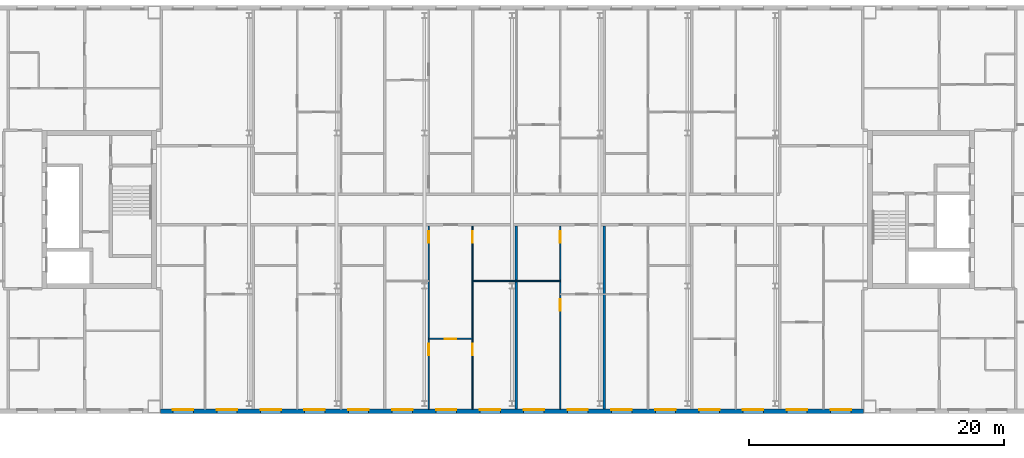
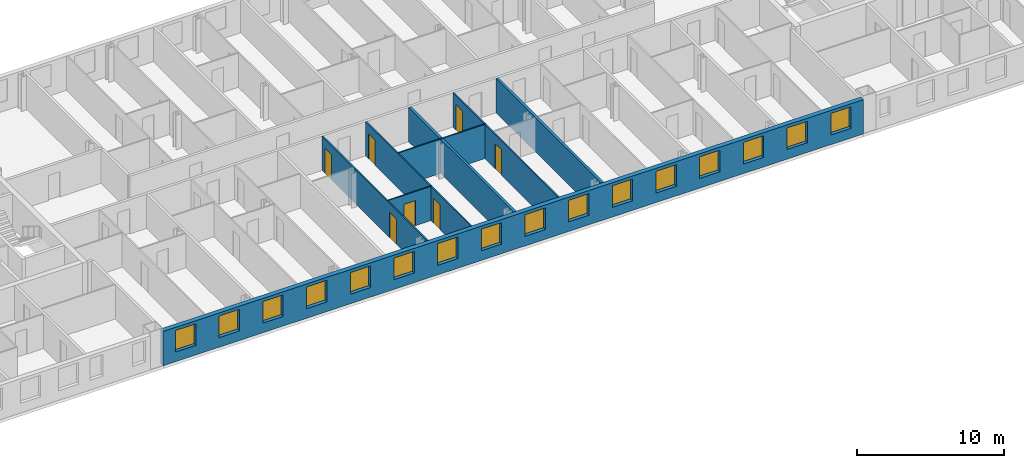
# One storey, part 10 of 19: 16 windows, 8 walls, 7 doors, 23 openings.
"""IFC4 building model written with IfcOpenShell, lengths in metres."""

from ifc_helpers import new_model, si_unit, direction, frame, frame_2d, origin, place, context, subcontext, project, spatial, rectangle, extrude, material, layer, layer_set, type_object, element, fill, save


model = new_model("IFC4")

# Units and contexts
model_context = context("Model", 3, precision=1e-05, world=origin(), true_north=direction((0.0, 1.0)))
body_context = subcontext(model_context, "Body", "Model", "MODEL_VIEW")
ifc_project = project(units=[si_unit("LENGTHUNIT", "METRE"), si_unit("AREAUNIT", "SQUARE_METRE"), si_unit("VOLUMEUNIT", "CUBIC_METRE"), si_unit("PLANEANGLEUNIT", "RADIAN"), si_unit("MASSUNIT", "GRAM", prefix="KILO")], contexts=[model_context])

# Site, building, storey
site_placement = place(None, origin())
site = spatial("IfcSite", under=ifc_project, at=site_placement, CompositionType="ELEMENT")
building_placement = place(site_placement, origin())
building = spatial("IfcBuilding", under=site, at=building_placement, Name="Tuart Gate Housing", CompositionType="ELEMENT")
storey_placement = place(building_placement, frame((0.0, 0.0, 205.89990234375)))
storey = spatial("IfcBuildingStorey", under=building, at=storey_placement, Name="L58", CompositionType="ELEMENT", Elevation=205.89990234375)

# Wall, openings, windows
ifc_material_1 = material(Name="Brick", Category="masonry")
ifc_layer_1 = layer(ifc_material_1, 0.360107421875)
ifc_layer_set_1 = layer_set([ifc_layer_1], Name="Brick pier and spandrel wall 360")
wall_type_1 = type_object("IfcWallType", Name="Brick pier and spandrel wall 360", PredefinedType="STANDARD", material=ifc_layer_set_1)
wall_1_placement = place(storey_placement, frame((75.949951171875, 54.179931640625, 0.0), z_axis=(0.0, 0.0, 1.0), x_axis=(1.0, 0.0, 0.0)))
wall_1 = element("IfcWall", 1, at=wall_1_placement, inside=storey, type_object=wall_type_1, Name="External wall BLK-S L58", PredefinedType="STANDARD", context=body_context, shape_type="SweptSolid", body=[
    extrude(rectangle(XDim=55.10009765625, YDim=0.360107421875, at=frame_2d((27.550048828125, 0.0))), origin(), (0.0, 0.0, 1.0), 2.85009765625),
])
opening_1_placement = place(wall_1_placement, frame((0.96875, 0.0, 0.800048828125)))
opening_1 = element("IfcOpeningElement", 2, at=opening_1_placement, cuts=wall_1, Name="Opening W1", PredefinedType="OPENING", context=body_context, shape_type="SweptSolid", body=[
    extrude(rectangle(XDim=1.60009765625, YDim=1.800048828125, at=frame_2d((0.800048828125, 0.89990234375))), frame((0.0, 0.18994140625, 0.0), z_axis=(0.0, -1.0, 0.0), x_axis=(1.0, 0.0, 0.0)), (0.0, 0.0, 1.0), 0.380126953125),
])
opening_2_placement = place(wall_1_placement, frame((4.40625, 0.0, 0.800048828125)))
opening_2 = element("IfcOpeningElement", 3, at=opening_2_placement, cuts=wall_1, Name="Opening W1", PredefinedType="OPENING", context=body_context, shape_type="SweptSolid", body=[
    extrude(rectangle(XDim=1.60009765625, YDim=1.800048828125, at=frame_2d((0.800048828125, 0.89990234375))), frame((0.0, 0.18994140625, 0.0), z_axis=(0.0, -1.0, 0.0), x_axis=(1.0, 0.0, 0.0)), (0.0, 0.0, 1.0), 0.380126953125),
])
opening_3_placement = place(wall_1_placement, frame((7.84375, 0.0, 0.800048828125)))
opening_3 = element("IfcOpeningElement", 4, at=opening_3_placement, cuts=wall_1, Name="Opening W1", PredefinedType="OPENING", context=body_context, shape_type="SweptSolid", body=[
    extrude(rectangle(XDim=1.60009765625, YDim=1.800048828125, at=frame_2d((0.800048828125, 0.89990234375))), frame((0.0, 0.18994140625, 0.0), z_axis=(0.0, -1.0, 0.0), x_axis=(1.0, 0.0, 0.0)), (0.0, 0.0, 1.0), 0.380126953125),
])
opening_4_placement = place(wall_1_placement, frame((11.28125, 0.0, 0.800048828125)))
opening_4 = element("IfcOpeningElement", 5, at=opening_4_placement, cuts=wall_1, Name="Opening W1", PredefinedType="OPENING", context=body_context, shape_type="SweptSolid", body=[
    extrude(rectangle(XDim=1.60009765625, YDim=1.800048828125, at=frame_2d((0.800048828125, 0.89990234375))), frame((0.0, 0.18994140625, 0.0), z_axis=(0.0, -1.0, 0.0), x_axis=(1.0, 0.0, 0.0)), (0.0, 0.0, 1.0), 0.380126953125),
])
opening_5_placement = place(wall_1_placement, frame((14.71875, 0.0, 0.800048828125)))
opening_5 = element("IfcOpeningElement", 6, at=opening_5_placement, cuts=wall_1, Name="Opening W1", PredefinedType="OPENING", context=body_context, shape_type="SweptSolid", body=[
    extrude(rectangle(XDim=1.60009765625, YDim=1.800048828125, at=frame_2d((0.800048828125, 0.89990234375))), frame((0.0, 0.18994140625, 0.0), z_axis=(0.0, -1.0, 0.0), x_axis=(1.0, 0.0, 0.0)), (0.0, 0.0, 1.0), 0.380126953125),
])
opening_6_placement = place(wall_1_placement, frame((18.15625, 0.0, 0.800048828125)))
opening_6 = element("IfcOpeningElement", 7, at=opening_6_placement, cuts=wall_1, Name="Opening W1", PredefinedType="OPENING", context=body_context, shape_type="SweptSolid", body=[
    extrude(rectangle(XDim=1.60009765625, YDim=1.800048828125, at=frame_2d((0.800048828125, 0.89990234375))), frame((0.0, 0.18994140625, 0.0), z_axis=(0.0, -1.0, 0.0), x_axis=(1.0, 0.0, 0.0)), (0.0, 0.0, 1.0), 0.380126953125),
])
opening_7_placement = place(wall_1_placement, frame((21.59375, 0.0, 0.800048828125)))
opening_7 = element("IfcOpeningElement", 8, at=opening_7_placement, cuts=wall_1, Name="Opening W1", PredefinedType="OPENING", context=body_context, shape_type="SweptSolid", body=[
    extrude(rectangle(XDim=1.60009765625, YDim=1.800048828125, at=frame_2d((0.800048828125, 0.89990234375))), frame((0.0, 0.18994140625, 0.0), z_axis=(0.0, -1.0, 0.0), x_axis=(1.0, 0.0, 0.0)), (0.0, 0.0, 1.0), 0.380126953125),
])
opening_8_placement = place(wall_1_placement, frame((25.03125, 0.0, 0.800048828125)))
opening_8 = element("IfcOpeningElement", 9, at=opening_8_placement, cuts=wall_1, Name="Opening W1", PredefinedType="OPENING", context=body_context, shape_type="SweptSolid", body=[
    extrude(rectangle(XDim=1.60009765625, YDim=1.800048828125, at=frame_2d((0.800048828125, 0.89990234375))), frame((0.0, 0.18994140625, 0.0), z_axis=(0.0, -1.0, 0.0), x_axis=(1.0, 0.0, 0.0)), (0.0, 0.0, 1.0), 0.380126953125),
])
opening_9_placement = place(wall_1_placement, frame((28.46875, 0.0, 0.800048828125)))
opening_9 = element("IfcOpeningElement", 10, at=opening_9_placement, cuts=wall_1, Name="Opening W1", PredefinedType="OPENING", context=body_context, shape_type="SweptSolid", body=[
    extrude(rectangle(XDim=1.60009765625, YDim=1.800048828125, at=frame_2d((0.800048828125, 0.89990234375))), frame((0.0, 0.18994140625, 0.0), z_axis=(0.0, -1.0, 0.0), x_axis=(1.0, 0.0, 0.0)), (0.0, 0.0, 1.0), 0.380126953125),
])
opening_10_placement = place(wall_1_placement, frame((31.90625, 0.0, 0.800048828125)))
opening_10 = element("IfcOpeningElement", 11, at=opening_10_placement, cuts=wall_1, Name="Opening W1", PredefinedType="OPENING", context=body_context, shape_type="SweptSolid", body=[
    extrude(rectangle(XDim=1.60009765625, YDim=1.800048828125, at=frame_2d((0.800048828125, 0.89990234375))), frame((0.0, 0.18994140625, 0.0), z_axis=(0.0, -1.0, 0.0), x_axis=(1.0, 0.0, 0.0)), (0.0, 0.0, 1.0), 0.380126953125),
])
opening_11_placement = place(wall_1_placement, frame((35.34375, 0.0, 0.800048828125)))
opening_11 = element("IfcOpeningElement", 12, at=opening_11_placement, cuts=wall_1, Name="Opening W1", PredefinedType="OPENING", context=body_context, shape_type="SweptSolid", body=[
    extrude(rectangle(XDim=1.60009765625, YDim=1.800048828125, at=frame_2d((0.800048828125, 0.89990234375))), frame((0.0, 0.18994140625, 0.0), z_axis=(0.0, -1.0, 0.0), x_axis=(1.0, 0.0, 0.0)), (0.0, 0.0, 1.0), 0.380126953125),
])
opening_12_placement = place(wall_1_placement, frame((38.78125, 0.0, 0.800048828125)))
opening_12 = element("IfcOpeningElement", 13, at=opening_12_placement, cuts=wall_1, Name="Opening W1", PredefinedType="OPENING", context=body_context, shape_type="SweptSolid", body=[
    extrude(rectangle(XDim=1.60009765625, YDim=1.800048828125, at=frame_2d((0.800048828125, 0.89990234375))), frame((0.0, 0.18994140625, 0.0), z_axis=(0.0, -1.0, 0.0), x_axis=(1.0, 0.0, 0.0)), (0.0, 0.0, 1.0), 0.380126953125),
])
opening_13_placement = place(wall_1_placement, frame((42.21875, 0.0, 0.800048828125)))
opening_13 = element("IfcOpeningElement", 14, at=opening_13_placement, cuts=wall_1, Name="Opening W1", PredefinedType="OPENING", context=body_context, shape_type="SweptSolid", body=[
    extrude(rectangle(XDim=1.60009765625, YDim=1.800048828125, at=frame_2d((0.800048828125, 0.89990234375))), frame((0.0, 0.18994140625, 0.0), z_axis=(0.0, -1.0, 0.0), x_axis=(1.0, 0.0, 0.0)), (0.0, 0.0, 1.0), 0.380126953125),
])
opening_14_placement = place(wall_1_placement, frame((45.65625, 0.0, 0.800048828125)))
opening_14 = element("IfcOpeningElement", 15, at=opening_14_placement, cuts=wall_1, Name="Opening W1", PredefinedType="OPENING", context=body_context, shape_type="SweptSolid", body=[
    extrude(rectangle(XDim=1.60009765625, YDim=1.800048828125, at=frame_2d((0.800048828125, 0.89990234375))), frame((0.0, 0.18994140625, 0.0), z_axis=(0.0, -1.0, 0.0), x_axis=(1.0, 0.0, 0.0)), (0.0, 0.0, 1.0), 0.380126953125),
])
opening_15_placement = place(wall_1_placement, frame((49.09375, 0.0, 0.800048828125)))
opening_15 = element("IfcOpeningElement", 16, at=opening_15_placement, cuts=wall_1, Name="Opening W1", PredefinedType="OPENING", context=body_context, shape_type="SweptSolid", body=[
    extrude(rectangle(XDim=1.60009765625, YDim=1.800048828125, at=frame_2d((0.800048828125, 0.89990234375))), frame((0.0, 0.18994140625, 0.0), z_axis=(0.0, -1.0, 0.0), x_axis=(1.0, 0.0, 0.0)), (0.0, 0.0, 1.0), 0.380126953125),
])
opening_16_placement = place(wall_1_placement, frame((52.53125, 0.0, 0.800048828125)))
opening_16 = element("IfcOpeningElement", 17, at=opening_16_placement, cuts=wall_1, Name="Opening W1", PredefinedType="OPENING", context=body_context, shape_type="SweptSolid", body=[
    extrude(rectangle(XDim=1.60009765625, YDim=1.800048828125, at=frame_2d((0.800048828125, 0.89990234375))), frame((0.0, 0.18994140625, 0.0), z_axis=(0.0, -1.0, 0.0), x_axis=(1.0, 0.0, 0.0)), (0.0, 0.0, 1.0), 0.380126953125),
])
ifc_material_2 = material(Name="Aluminium frame with clear glass", Category="aluminium")
window_type = type_object("IfcWindowType", Name="Punched window 1600 x 1800", PartitioningType="SINGLE_PANEL", PredefinedType="WINDOW", material=ifc_material_2)
window_1_placement = place(opening_1_placement, origin())
window_1 = element("IfcWindow", 18, at=window_1_placement, inside=storey, type_object=window_type, Name="Window W1", OverallHeight=1.800048828125, OverallWidth=1.60009765625, PartitioningType="SINGLE_PANEL", PredefinedType="WINDOW", context=body_context, shape_type="SweptSolid", body=[
    extrude(rectangle(XDim=1.60009765625, YDim=1.800048828125, at=frame_2d((0.800048828125, 0.89990234375))), frame((0.0, 0.150146484375, 0.0), z_axis=(0.0, -1.0, 0.0), x_axis=(1.0, 0.0, 0.0)), (0.0, 0.0, 1.0), 0.06005859375),
])
fill(opening_1, window_1)
window_2_placement = place(opening_2_placement, origin())
window_2 = element("IfcWindow", 19, at=window_2_placement, inside=storey, type_object=window_type, Name="Window W1", OverallHeight=1.800048828125, OverallWidth=1.60009765625, PartitioningType="SINGLE_PANEL", PredefinedType="WINDOW", context=body_context, shape_type="SweptSolid", body=[
    extrude(rectangle(XDim=1.60009765625, YDim=1.800048828125, at=frame_2d((0.800048828125, 0.89990234375))), frame((0.0, 0.150146484375, 0.0), z_axis=(0.0, -1.0, 0.0), x_axis=(1.0, 0.0, 0.0)), (0.0, 0.0, 1.0), 0.06005859375),
])
fill(opening_2, window_2)
window_3_placement = place(opening_3_placement, origin())
window_3 = element("IfcWindow", 20, at=window_3_placement, inside=storey, type_object=window_type, Name="Window W1", OverallHeight=1.800048828125, OverallWidth=1.60009765625, PartitioningType="SINGLE_PANEL", PredefinedType="WINDOW", context=body_context, shape_type="SweptSolid", body=[
    extrude(rectangle(XDim=1.60009765625, YDim=1.800048828125, at=frame_2d((0.800048828125, 0.89990234375))), frame((0.0, 0.150146484375, 0.0), z_axis=(0.0, -1.0, 0.0), x_axis=(1.0, 0.0, 0.0)), (0.0, 0.0, 1.0), 0.06005859375),
])
fill(opening_3, window_3)
window_4_placement = place(opening_4_placement, origin())
window_4 = element("IfcWindow", 21, at=window_4_placement, inside=storey, type_object=window_type, Name="Window W1", OverallHeight=1.800048828125, OverallWidth=1.60009765625, PartitioningType="SINGLE_PANEL", PredefinedType="WINDOW", context=body_context, shape_type="SweptSolid", body=[
    extrude(rectangle(XDim=1.60009765625, YDim=1.800048828125, at=frame_2d((0.800048828125, 0.89990234375))), frame((0.0, 0.150146484375, 0.0), z_axis=(0.0, -1.0, 0.0), x_axis=(1.0, 0.0, 0.0)), (0.0, 0.0, 1.0), 0.06005859375),
])
fill(opening_4, window_4)
window_5_placement = place(opening_5_placement, origin())
window_5 = element("IfcWindow", 22, at=window_5_placement, inside=storey, type_object=window_type, Name="Window W1", OverallHeight=1.800048828125, OverallWidth=1.60009765625, PartitioningType="SINGLE_PANEL", PredefinedType="WINDOW", context=body_context, shape_type="SweptSolid", body=[
    extrude(rectangle(XDim=1.60009765625, YDim=1.800048828125, at=frame_2d((0.800048828125, 0.89990234375))), frame((0.0, 0.150146484375, 0.0), z_axis=(0.0, -1.0, 0.0), x_axis=(1.0, 0.0, 0.0)), (0.0, 0.0, 1.0), 0.06005859375),
])
fill(opening_5, window_5)
window_6_placement = place(opening_6_placement, origin())
window_6 = element("IfcWindow", 23, at=window_6_placement, inside=storey, type_object=window_type, Name="Window W1", OverallHeight=1.800048828125, OverallWidth=1.60009765625, PartitioningType="SINGLE_PANEL", PredefinedType="WINDOW", context=body_context, shape_type="SweptSolid", body=[
    extrude(rectangle(XDim=1.60009765625, YDim=1.800048828125, at=frame_2d((0.800048828125, 0.89990234375))), frame((0.0, 0.150146484375, 0.0), z_axis=(0.0, -1.0, 0.0), x_axis=(1.0, 0.0, 0.0)), (0.0, 0.0, 1.0), 0.06005859375),
])
fill(opening_6, window_6)
window_7_placement = place(opening_7_placement, origin())
window_7 = element("IfcWindow", 24, at=window_7_placement, inside=storey, type_object=window_type, Name="Window W1", OverallHeight=1.800048828125, OverallWidth=1.60009765625, PartitioningType="SINGLE_PANEL", PredefinedType="WINDOW", context=body_context, shape_type="SweptSolid", body=[
    extrude(rectangle(XDim=1.60009765625, YDim=1.800048828125, at=frame_2d((0.800048828125, 0.89990234375))), frame((0.0, 0.150146484375, 0.0), z_axis=(0.0, -1.0, 0.0), x_axis=(1.0, 0.0, 0.0)), (0.0, 0.0, 1.0), 0.06005859375),
])
fill(opening_7, window_7)
window_8_placement = place(opening_8_placement, origin())
window_8 = element("IfcWindow", 25, at=window_8_placement, inside=storey, type_object=window_type, Name="Window W1", OverallHeight=1.800048828125, OverallWidth=1.60009765625, PartitioningType="SINGLE_PANEL", PredefinedType="WINDOW", context=body_context, shape_type="SweptSolid", body=[
    extrude(rectangle(XDim=1.60009765625, YDim=1.800048828125, at=frame_2d((0.800048828125, 0.89990234375))), frame((0.0, 0.150146484375, 0.0), z_axis=(0.0, -1.0, 0.0), x_axis=(1.0, 0.0, 0.0)), (0.0, 0.0, 1.0), 0.06005859375),
])
fill(opening_8, window_8)
window_9_placement = place(opening_9_placement, origin())
window_9 = element("IfcWindow", 26, at=window_9_placement, inside=storey, type_object=window_type, Name="Window W1", OverallHeight=1.800048828125, OverallWidth=1.60009765625, PartitioningType="SINGLE_PANEL", PredefinedType="WINDOW", context=body_context, shape_type="SweptSolid", body=[
    extrude(rectangle(XDim=1.60009765625, YDim=1.800048828125, at=frame_2d((0.800048828125, 0.89990234375))), frame((0.0, 0.150146484375, 0.0), z_axis=(0.0, -1.0, 0.0), x_axis=(1.0, 0.0, 0.0)), (0.0, 0.0, 1.0), 0.06005859375),
])
fill(opening_9, window_9)
window_10_placement = place(opening_10_placement, origin())
window_10 = element("IfcWindow", 27, at=window_10_placement, inside=storey, type_object=window_type, Name="Window W1", OverallHeight=1.800048828125, OverallWidth=1.60009765625, PartitioningType="SINGLE_PANEL", PredefinedType="WINDOW", context=body_context, shape_type="SweptSolid", body=[
    extrude(rectangle(XDim=1.60009765625, YDim=1.800048828125, at=frame_2d((0.800048828125, 0.89990234375))), frame((0.0, 0.150146484375, 0.0), z_axis=(0.0, -1.0, 0.0), x_axis=(1.0, 0.0, 0.0)), (0.0, 0.0, 1.0), 0.06005859375),
])
fill(opening_10, window_10)
window_11_placement = place(opening_11_placement, origin())
window_11 = element("IfcWindow", 28, at=window_11_placement, inside=storey, type_object=window_type, Name="Window W1", OverallHeight=1.800048828125, OverallWidth=1.60009765625, PartitioningType="SINGLE_PANEL", PredefinedType="WINDOW", context=body_context, shape_type="SweptSolid", body=[
    extrude(rectangle(XDim=1.60009765625, YDim=1.800048828125, at=frame_2d((0.800048828125, 0.89990234375))), frame((0.0, 0.150146484375, 0.0), z_axis=(0.0, -1.0, 0.0), x_axis=(1.0, 0.0, 0.0)), (0.0, 0.0, 1.0), 0.06005859375),
])
fill(opening_11, window_11)
window_12_placement = place(opening_12_placement, origin())
window_12 = element("IfcWindow", 29, at=window_12_placement, inside=storey, type_object=window_type, Name="Window W1", OverallHeight=1.800048828125, OverallWidth=1.60009765625, PartitioningType="SINGLE_PANEL", PredefinedType="WINDOW", context=body_context, shape_type="SweptSolid", body=[
    extrude(rectangle(XDim=1.60009765625, YDim=1.800048828125, at=frame_2d((0.800048828125, 0.89990234375))), frame((0.0, 0.150146484375, 0.0), z_axis=(0.0, -1.0, 0.0), x_axis=(1.0, 0.0, 0.0)), (0.0, 0.0, 1.0), 0.06005859375),
])
fill(opening_12, window_12)
window_13_placement = place(opening_13_placement, origin())
window_13 = element("IfcWindow", 30, at=window_13_placement, inside=storey, type_object=window_type, Name="Window W1", OverallHeight=1.800048828125, OverallWidth=1.60009765625, PartitioningType="SINGLE_PANEL", PredefinedType="WINDOW", context=body_context, shape_type="SweptSolid", body=[
    extrude(rectangle(XDim=1.60009765625, YDim=1.800048828125, at=frame_2d((0.800048828125, 0.89990234375))), frame((0.0, 0.150146484375, 0.0), z_axis=(0.0, -1.0, 0.0), x_axis=(1.0, 0.0, 0.0)), (0.0, 0.0, 1.0), 0.06005859375),
])
fill(opening_13, window_13)
window_14_placement = place(opening_14_placement, origin())
window_14 = element("IfcWindow", 31, at=window_14_placement, inside=storey, type_object=window_type, Name="Window W1", OverallHeight=1.800048828125, OverallWidth=1.60009765625, PartitioningType="SINGLE_PANEL", PredefinedType="WINDOW", context=body_context, shape_type="SweptSolid", body=[
    extrude(rectangle(XDim=1.60009765625, YDim=1.800048828125, at=frame_2d((0.800048828125, 0.89990234375))), frame((0.0, 0.150146484375, 0.0), z_axis=(0.0, -1.0, 0.0), x_axis=(1.0, 0.0, 0.0)), (0.0, 0.0, 1.0), 0.06005859375),
])
fill(opening_14, window_14)
window_15_placement = place(opening_15_placement, origin())
window_15 = element("IfcWindow", 32, at=window_15_placement, inside=storey, type_object=window_type, Name="Window W1", OverallHeight=1.800048828125, OverallWidth=1.60009765625, PartitioningType="SINGLE_PANEL", PredefinedType="WINDOW", context=body_context, shape_type="SweptSolid", body=[
    extrude(rectangle(XDim=1.60009765625, YDim=1.800048828125, at=frame_2d((0.800048828125, 0.89990234375))), frame((0.0, 0.150146484375, 0.0), z_axis=(0.0, -1.0, 0.0), x_axis=(1.0, 0.0, 0.0)), (0.0, 0.0, 1.0), 0.06005859375),
])
fill(opening_15, window_15)
window_16_placement = place(opening_16_placement, origin())
window_16 = element("IfcWindow", 33, at=window_16_placement, inside=storey, type_object=window_type, Name="Window W1", OverallHeight=1.800048828125, OverallWidth=1.60009765625, PartitioningType="SINGLE_PANEL", PredefinedType="WINDOW", context=body_context, shape_type="SweptSolid", body=[
    extrude(rectangle(XDim=1.60009765625, YDim=1.800048828125, at=frame_2d((0.800048828125, 0.89990234375))), frame((0.0, 0.150146484375, 0.0), z_axis=(0.0, -1.0, 0.0), x_axis=(1.0, 0.0, 0.0)), (0.0, 0.0, 1.0), 0.06005859375),
])
fill(opening_16, window_16)

# Wall, opening, door
ifc_material_3 = material(Name="Gypsum board on steel studs", Category="steel")
ifc_layer_2 = layer(ifc_material_3, 0.10009765625)
ifc_layer_set_2 = layer_set([ifc_layer_2], Name="Partition 100")
wall_type_2 = type_object("IfcWallType", Name="Partition 100", PredefinedType="PARTITIONING", material=ifc_layer_set_2)
wall_2_placement = place(storey_placement, frame((96.97509765625, 59.860107421875, 0.0), z_axis=(0.0, 0.0, 1.0), x_axis=(1.0, 0.0, 0.0)))
wall_2 = element("IfcWall", 34, at=wall_2_placement, inside=storey, type_object=wall_type_2, Name="Partition 100", PredefinedType="PARTITIONING", context=body_context, shape_type="SweptSolid", body=[
    extrude(rectangle(XDim=3.43701171875, YDim=0.10009765625, at=frame_2d((1.718505859375, 0.0))), origin(), (0.0, 0.0, 1.0), 2.85009765625),
])
opening_17_placement = place(wall_2_placement, frame((1.2685546875, 0.0, 0.0)))
opening_17 = element("IfcOpeningElement", 35, at=opening_17_placement, cuts=wall_2, Name="Opening D2058", PredefinedType="OPENING", context=body_context, shape_type="SweptSolid", body=[
    extrude(rectangle(XDim=0.89990234375, YDim=2.10009765625, at=frame_2d((0.449951171875, 1.050048828125))), frame((0.0, 0.06005859375, 0.0), z_axis=(0.0, -1.0, 0.0), x_axis=(1.0, 0.0, 0.0)), (0.0, 0.0, 1.0), 0.1201171875),
])
ifc_material_4 = material(Name="Timber door leaf in steel frame", Category="steel")
door_type_1 = type_object("IfcDoorType", Name="Internal door 900", OperationType="SINGLE_SWING_LEFT", PredefinedType="DOOR", material=ifc_material_4)
door_1_placement = place(opening_17_placement, origin())
door_1 = element("IfcDoor", 36, at=door_1_placement, inside=storey, type_object=door_type_1, Name="Internal door", OperationType="SINGLE_SWING_LEFT", OverallHeight=2.10009765625, OverallWidth=0.89990234375, PredefinedType="DOOR", context=body_context, shape_type="SweptSolid", body=[
    extrude(rectangle(XDim=0.89990234375, YDim=2.10009765625, at=frame_2d((0.449951171875, 1.050048828125))), frame((0.0, 0.02490234375, 0.0), z_axis=(0.0, -1.0, 0.0), x_axis=(1.0, 0.0, 0.0)), (0.0, 0.0, 1.0), 0.050048828125),
])
fill(opening_17, door_1)

# Wall
wall_3_placement = place(storey_placement, frame((100.412109375, 64.39990234375, 0.0), z_axis=(0.0, 0.0, 1.0), x_axis=(1.0, 0.0, 0.0)))
element("IfcWall", 37, at=wall_3_placement, inside=storey, type_object=wall_type_2, Name="Partition 100", PredefinedType="PARTITIONING", context=body_context, shape_type="SweptSolid", body=[
    extrude(rectangle(XDim=6.875, YDim=0.10009765625, at=frame_2d((3.4375, 0.0))), origin(), (0.0, 0.0, 1.0), 2.85009765625),
])

# Wall, openings, doors
wall_4_placement = place(storey_placement, frame((96.97509765625, 54.360107421875, 0.0), z_axis=(0.0, 0.0, 1.0), x_axis=(0.0, 1.0, 0.0)))
wall_4 = element("IfcWall", 38, at=wall_4_placement, inside=storey, type_object=wall_type_2, Name="Partition 100", PredefinedType="PARTITIONING", context=body_context, shape_type="SweptSolid", body=[
    extrude(rectangle(XDim=14.33984375, YDim=0.10009765625, at=frame_2d((7.169921875, 0.0))), origin(), (0.0, 0.0, 1.0), 2.85009765625),
])
opening_18_placement = place(wall_4_placement, frame((4.199951171875, 0.0, 0.0)))
opening_18 = element("IfcOpeningElement", 39, at=opening_18_placement, cuts=wall_4, Name="Opening D2046", PredefinedType="OPENING", context=body_context, shape_type="SweptSolid", body=[
    extrude(rectangle(XDim=0.89990234375, YDim=2.10009765625, at=frame_2d((0.449951171875, 1.050048828125))), frame((0.0, 0.06005859375, 0.0), z_axis=(0.0, -1.0, 0.0), x_axis=(1.0, 0.0, 0.0)), (0.0, 0.0, 1.0), 0.1201171875),
])
opening_19_placement = place(wall_4_placement, frame((13.0400390625, 0.0, 0.0)))
opening_19 = element("IfcOpeningElement", 40, at=opening_19_placement, cuts=wall_4, Name="Opening D2045", PredefinedType="OPENING", context=body_context, shape_type="SweptSolid", body=[
    extrude(rectangle(XDim=0.89990234375, YDim=2.10009765625, at=frame_2d((0.449951171875, 1.050048828125))), frame((0.0, 0.06005859375, 0.0), z_axis=(0.0, -1.0, 0.0), x_axis=(1.0, 0.0, 0.0)), (0.0, 0.0, 1.0), 0.1201171875),
])
ifc_material_5 = material(Name="Timber door leaf in steel frame", Category="steel")
door_type_2 = type_object("IfcDoorType", Name="Bathroom door 900 RH", OperationType="SINGLE_SWING_RIGHT", PredefinedType="DOOR", material=ifc_material_5)
door_2_placement = place(opening_19_placement, origin())
door_2 = element("IfcDoor", 41, at=door_2_placement, inside=storey, type_object=door_type_2, Name="Bathroom door", OperationType="SINGLE_SWING_RIGHT", OverallHeight=2.10009765625, OverallWidth=0.89990234375, PredefinedType="DOOR", context=body_context, shape_type="SweptSolid", body=[
    extrude(rectangle(XDim=0.89990234375, YDim=2.10009765625, at=frame_2d((0.449951171875, 1.050048828125))), frame((0.0, 0.02490234375, 0.0), z_axis=(0.0, -1.0, 0.0), x_axis=(1.0, 0.0, 0.0)), (0.0, 0.0, 1.0), 0.050048828125),
])
fill(opening_19, door_2)
door_3_placement = place(opening_18_placement, origin())
door_3 = element("IfcDoor", 42, at=door_3_placement, inside=storey, type_object=door_type_1, Name="Internal door", OperationType="SINGLE_SWING_LEFT", OverallHeight=2.10009765625, OverallWidth=0.89990234375, PredefinedType="DOOR", context=body_context, shape_type="SweptSolid", body=[
    extrude(rectangle(XDim=0.89990234375, YDim=2.10009765625, at=frame_2d((0.449951171875, 1.050048828125))), frame((0.0, 0.02490234375, 0.0), z_axis=(0.0, -1.0, 0.0), x_axis=(1.0, 0.0, 0.0)), (0.0, 0.0, 1.0), 0.050048828125),
])
fill(opening_18, door_3)

wall_5_placement = place(storey_placement, frame((100.412109375, 54.360107421875, 0.0), z_axis=(0.0, 0.0, 1.0), x_axis=(0.0, 1.0, 0.0)))
wall_5 = element("IfcWall", 43, at=wall_5_placement, inside=storey, type_object=wall_type_2, Name="Partition 100", PredefinedType="PARTITIONING", context=body_context, shape_type="SweptSolid", body=[
    extrude(rectangle(XDim=14.33984375, YDim=0.10009765625, at=frame_2d((7.169921875, 0.0))), origin(), (0.0, 0.0, 1.0), 2.85009765625),
])
opening_20_placement = place(wall_5_placement, frame((4.199951171875, 0.0, 0.0)))
opening_20 = element("IfcOpeningElement", 44, at=opening_20_placement, cuts=wall_5, Name="Opening D2048", PredefinedType="OPENING", context=body_context, shape_type="SweptSolid", body=[
    extrude(rectangle(XDim=0.89990234375, YDim=2.10009765625, at=frame_2d((0.449951171875, 1.050048828125))), frame((0.0, 0.06005859375, 0.0), z_axis=(0.0, -1.0, 0.0), x_axis=(1.0, 0.0, 0.0)), (0.0, 0.0, 1.0), 0.1201171875),
])
opening_21_placement = place(wall_5_placement, frame((13.0400390625, 0.0, 0.0)))
opening_21 = element("IfcOpeningElement", 45, at=opening_21_placement, cuts=wall_5, Name="Opening D2047", PredefinedType="OPENING", context=body_context, shape_type="SweptSolid", body=[
    extrude(rectangle(XDim=0.89990234375, YDim=2.10009765625, at=frame_2d((0.449951171875, 1.050048828125))), frame((0.0, 0.06005859375, 0.0), z_axis=(0.0, -1.0, 0.0), x_axis=(1.0, 0.0, 0.0)), (0.0, 0.0, 1.0), 0.1201171875),
])
ifc_material_6 = material(Name="Timber door leaf in steel frame", Category="steel")
door_type_3 = type_object("IfcDoorType", Name="Bathroom door 900", OperationType="SINGLE_SWING_LEFT", PredefinedType="DOOR", material=ifc_material_6)
door_4_placement = place(opening_21_placement, frame((0.89990234375, 0.0, 0.0), z_axis=(0.0, 0.0, 1.0), x_axis=(-1.0, 0.0, 0.0)))
door_4 = element("IfcDoor", 46, at=door_4_placement, inside=storey, type_object=door_type_3, Name="Bathroom door", OperationType="SINGLE_SWING_LEFT", OverallHeight=2.10009765625, OverallWidth=0.89990234375, PredefinedType="DOOR", context=body_context, shape_type="SweptSolid", body=[
    extrude(rectangle(XDim=0.89990234375, YDim=2.10009765625, at=frame_2d((0.449951171875, 1.050048828125))), frame((0.0, 0.025146484375, 0.0), z_axis=(0.0, -1.0, 0.0), x_axis=(1.0, 0.0, 0.0)), (0.0, 0.0, 1.0), 0.050048828125),
])
fill(opening_21, door_4)
ifc_material_7 = material(Name="Timber door leaf in steel frame", Category="steel")
door_type_4 = type_object("IfcDoorType", Name="Internal door 900 RH", OperationType="SINGLE_SWING_RIGHT", PredefinedType="DOOR", material=ifc_material_7)
door_5_placement = place(opening_20_placement, frame((0.89990234375, 0.0, 0.0), z_axis=(0.0, 0.0, 1.0), x_axis=(-1.0, 0.0, 0.0)))
door_5 = element("IfcDoor", 47, at=door_5_placement, inside=storey, type_object=door_type_4, Name="Internal door", OperationType="SINGLE_SWING_RIGHT", OverallHeight=2.10009765625, OverallWidth=0.89990234375, PredefinedType="DOOR", context=body_context, shape_type="SweptSolid", body=[
    extrude(rectangle(XDim=0.89990234375, YDim=2.10009765625, at=frame_2d((0.449951171875, 1.050048828125))), frame((0.0, 0.025146484375, 0.0), z_axis=(0.0, -1.0, 0.0), x_axis=(1.0, 0.0, 0.0)), (0.0, 0.0, 1.0), 0.050048828125),
])
fill(opening_20, door_5)

wall_6_placement = place(storey_placement, frame((107.287109375, 54.360107421875, 0.0), z_axis=(0.0, 0.0, 1.0), x_axis=(0.0, 1.0, 0.0)))
wall_6 = element("IfcWall", 48, at=wall_6_placement, inside=storey, type_object=wall_type_2, Name="Partition 100", PredefinedType="PARTITIONING", context=body_context, shape_type="SweptSolid", body=[
    extrude(rectangle(XDim=14.33984375, YDim=0.10009765625, at=frame_2d((7.169921875, 0.0))), origin(), (0.0, 0.0, 1.0), 2.85009765625),
])
opening_22_placement = place(wall_6_placement, frame((7.699951171875, 0.0, 0.0)))
opening_22 = element("IfcOpeningElement", 49, at=opening_22_placement, cuts=wall_6, Name="Opening D2050", PredefinedType="OPENING", context=body_context, shape_type="SweptSolid", body=[
    extrude(rectangle(XDim=0.89990234375, YDim=2.10009765625, at=frame_2d((0.449951171875, 1.050048828125))), frame((0.0, 0.06005859375, 0.0), z_axis=(0.0, -1.0, 0.0), x_axis=(1.0, 0.0, 0.0)), (0.0, 0.0, 1.0), 0.1201171875),
])
opening_23_placement = place(wall_6_placement, frame((13.0400390625, 0.0, 0.0)))
opening_23 = element("IfcOpeningElement", 50, at=opening_23_placement, cuts=wall_6, Name="Opening D2049", PredefinedType="OPENING", context=body_context, shape_type="SweptSolid", body=[
    extrude(rectangle(XDim=0.89990234375, YDim=2.10009765625, at=frame_2d((0.449951171875, 1.050048828125))), frame((0.0, 0.06005859375, 0.0), z_axis=(0.0, -1.0, 0.0), x_axis=(1.0, 0.0, 0.0)), (0.0, 0.0, 1.0), 0.1201171875),
])
door_6_placement = place(opening_23_placement, origin())
door_6 = element("IfcDoor", 51, at=door_6_placement, inside=storey, type_object=door_type_2, Name="Bathroom door", OperationType="SINGLE_SWING_RIGHT", OverallHeight=2.10009765625, OverallWidth=0.89990234375, PredefinedType="DOOR", context=body_context, shape_type="SweptSolid", body=[
    extrude(rectangle(XDim=0.89990234375, YDim=2.10009765625, at=frame_2d((0.449951171875, 1.050048828125))), frame((0.0, 0.02490234375, 0.0), z_axis=(0.0, -1.0, 0.0), x_axis=(1.0, 0.0, 0.0)), (0.0, 0.0, 1.0), 0.050048828125),
])
fill(opening_23, door_6)
door_7_placement = place(opening_22_placement, origin())
door_7 = element("IfcDoor", 52, at=door_7_placement, inside=storey, type_object=door_type_4, Name="Internal door", OperationType="SINGLE_SWING_RIGHT", OverallHeight=2.10009765625, OverallWidth=0.89990234375, PredefinedType="DOOR", context=body_context, shape_type="SweptSolid", body=[
    extrude(rectangle(XDim=0.89990234375, YDim=2.10009765625, at=frame_2d((0.449951171875, 1.050048828125))), frame((0.0, 0.02490234375, 0.0), z_axis=(0.0, -1.0, 0.0), x_axis=(1.0, 0.0, 0.0)), (0.0, 0.0, 1.0), 0.050048828125),
])
fill(opening_22, door_7)

# Walls
ifc_material_8 = material(Name="Concrete masonry 15 MPa", Category="masonry")
ifc_layer_3 = layer(ifc_material_8, 0.199951171875)
ifc_layer_set_3 = layer_set([ifc_layer_3], Name="Party wall masonry 200")
wall_type_3 = type_object("IfcWallType", Name="Party wall masonry 200", PredefinedType="PARTITIONING", material=ifc_layer_set_3)
for number, where, z_axis, x_axis, name in (
    (53, (103.85009765625, 54.360107421875, 0.0), (0.0, 0.0, 1.0), (0.0, 1.0, 0.0), "Party wall masonry 200"),
    (54, (110.72509765625, 54.360107421875, 0.0), (0.0, 0.0, 1.0), (0.0, 1.0, 0.0), "Party wall masonry 200"),
):
    element("IfcWall", number, at=place(storey_placement, frame(where, z_axis=z_axis, x_axis=x_axis)), inside=storey, type_object=wall_type_3, Name=name, PredefinedType="PARTITIONING", context=body_context, shape_type="SweptSolid", body=[
        extrude(rectangle(XDim=14.33984375, YDim=0.199951171875, at=frame_2d((7.169921875, 0.0))), origin(), (0.0, 0.0, 1.0), 2.85009765625),
    ])

save(model, "model.ifc")
